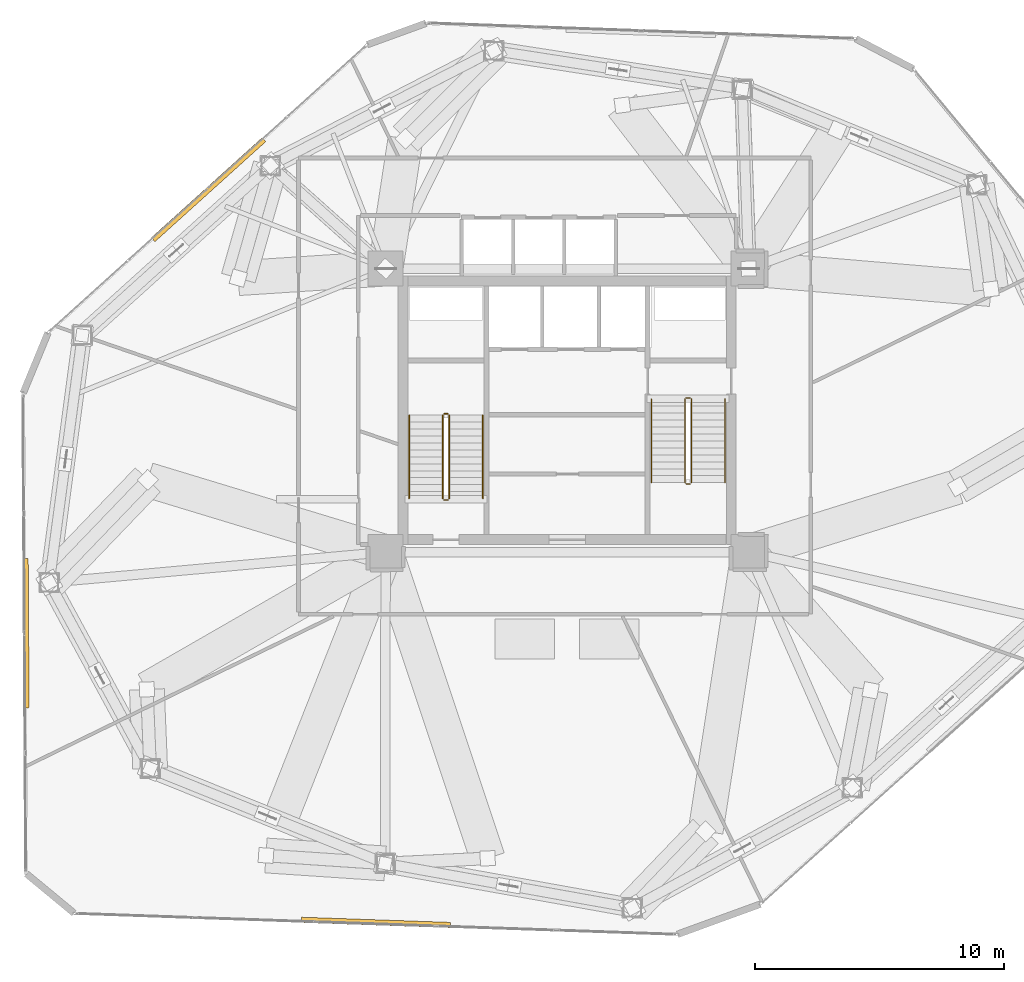
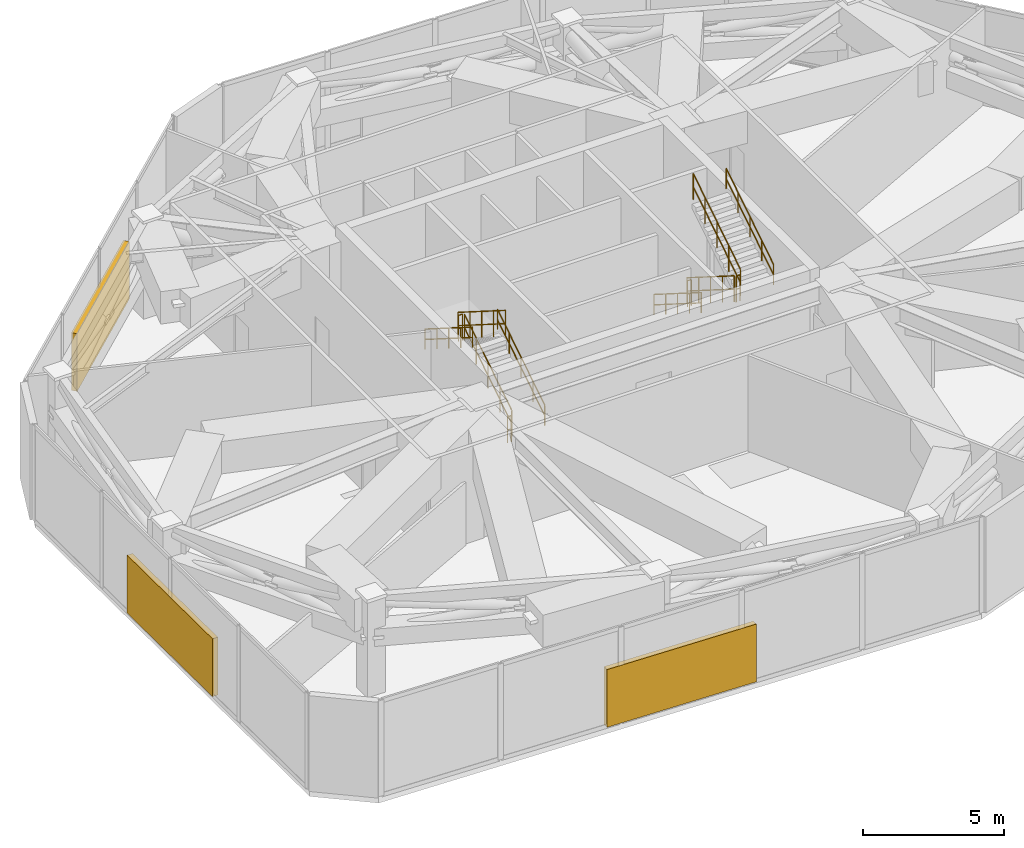
# One storey, part 24 of 25: 12 railings, 3 shading devices.
"""IFC4 building model written with IfcOpenShell, lengths in metres."""

from ifc_helpers import new_model, si_unit, direction, frame, origin, origin_2d, place, context, subcontext, project, spatial, rectangle, circle, extrude, source, transform, mapped, material, type_object, type_shapes, element, save


model = new_model("IFC4")

# Units and contexts
model_context = context("Model", 3, precision=1e-05, world=origin(), true_north=direction((0.0, 1.0)))
body_context = subcontext(model_context, "Body", "Model", "MODEL_VIEW")
ifc_project = project(units=[si_unit("LENGTHUNIT", "METRE"), si_unit("AREAUNIT", "SQUARE_METRE"), si_unit("VOLUMEUNIT", "CUBIC_METRE"), si_unit("PLANEANGLEUNIT", "RADIAN"), si_unit("MASSUNIT", "GRAM", prefix="KILO")], contexts=[model_context])

# Site, building, storey
site_placement = place(None, origin())
site = spatial("IfcSite", under=ifc_project, at=site_placement, CompositionType="ELEMENT")
building_placement = place(site_placement, origin())
building = spatial("IfcBuilding", under=site, at=building_placement, Name="Talar Marvaseh", CompositionType="ELEMENT")
storey_placement = place(building_placement, frame((0.0, 0.0, 84.800048828125)))
storey = spatial("IfcBuildingStorey", under=building, at=storey_placement, Name="L21", CompositionType="ELEMENT", Elevation=84.800048828125)

# Railings
ifc_material_1 = material(Name="Stainless Steel Grade 316", Category="steel")
railing_type_1 = type_object("IfcRailingType", Name="Brushed Stainless Wall Pitch Handrail 900", PredefinedType="HANDRAIL", material=ifc_material_1)
railing_1_placement = place(storey_placement, frame((22.610107421875, 27.64990234375, 0.1767578125)))
element("IfcRailing", 1, at=railing_1_placement, inside=storey, type_object=railing_type_1, Name="L21 ST-1 stair handrail 1", PredefinedType="HANDRAIL", context=body_context, shape_type="SweptSolid", body=[
    extrude(circle(Radius=0.02392578125, at=origin_2d()), frame((0.0, 0.0, 0.8759765625), z_axis=(0.0, 0.845361898145, 0.534194029511), x_axis=(-1.0, 0.0, 0.0)), (0.0, 0.0, 1.0), 3.974853515625),
    extrude(circle(Radius=0.02392578125, at=origin_2d()), frame((0.0, 0.0, 0.42578125), z_axis=(0.0, 0.845361898145, 0.534194029511), x_axis=(-1.0, 0.0, 0.0)), (0.0, 0.0, 1.0), 3.974853515625),
    extrude(circle(Radius=0.02099609375, at=origin_2d()), origin(), (0.0, 0.0, 1.0), 0.851806640625),
    extrude(circle(Radius=0.02099609375, at=origin_2d()), frame((0.0, 0.840087890625, 0.53076171875)), (0.0, 0.0, 1.0), 0.851806640625),
    extrude(circle(Radius=0.02099609375, at=origin_2d()), frame((0.0, 1.68017578125, 1.0615234375)), (0.0, 0.0, 1.0), 0.851806640625),
    extrude(circle(Radius=0.02099609375, at=origin_2d()), frame((0.0, 2.52001953125, 1.592529296875)), (0.0, 0.0, 1.0), 0.851806640625),
    extrude(circle(Radius=0.02099609375, at=origin_2d()), frame((0.0, 3.360107421875, 2.123291015625)), (0.0, 0.0, 1.0), 0.851806640625),
])
railing_2_placement = place(storey_placement, frame((19.64990234375, 31.010009765625, 2.476806640625)))
element("IfcRailing", 2, at=railing_2_placement, inside=storey, type_object=railing_type_1, Name="L21 ST-1 stair handrail 2", PredefinedType="HANDRAIL", context=body_context, shape_type="SweptSolid", body=[
    extrude(circle(Radius=0.02392578125, at=origin_2d()), frame((0.0, 0.0, 0.8759765625), z_axis=(0.0, -0.845389635667, 0.534150132366), x_axis=(1.0, 0.0, 0.0)), (0.0, 0.0, 1.0), 3.974609375),
    extrude(circle(Radius=0.02392578125, at=origin_2d()), frame((0.0, 0.0, 0.42578125), z_axis=(0.0, -0.845389635667, 0.534150132366), x_axis=(1.0, 0.0, 0.0)), (0.0, 0.0, 1.0), 3.974609375),
    extrude(circle(Radius=0.02099609375, at=origin_2d()), origin(), (0.0, 0.0, 1.0), 0.851806640625),
    extrude(circle(Radius=0.02099609375, at=origin_2d()), frame((0.0, -0.840087890625, 0.53076171875)), (0.0, 0.0, 1.0), 0.851806640625),
    extrude(circle(Radius=0.02099609375, at=origin_2d()), frame((0.0, -1.68017578125, 1.0615234375)), (0.0, 0.0, 1.0), 0.851806640625),
    extrude(circle(Radius=0.02099609375, at=origin_2d()), frame((0.0, -2.52001953125, 1.59228515625)), (0.0, 0.0, 1.0), 0.851806640625),
    extrude(circle(Radius=0.02099609375, at=origin_2d()), frame((0.0, -3.360107421875, 2.123046875)), (0.0, 0.0, 1.0), 0.851806640625),
])
railing_3_placement = place(storey_placement, frame((29.389892578125, 31.64990234375, 0.1767578125)))
element("IfcRailing", 3, at=railing_3_placement, inside=storey, type_object=railing_type_1, Name="L21 ST-2 stair handrail 1", PredefinedType="HANDRAIL", context=body_context, shape_type="SweptSolid", body=[
    extrude(circle(Radius=0.02392578125, at=origin_2d()), frame((0.0, 0.0, 0.8759765625), z_axis=(0.0, -0.845344368971, 0.534221768416), x_axis=(1.0, 0.0, 0.0)), (0.0, 0.0, 1.0), 3.974609375),
    extrude(circle(Radius=0.02392578125, at=origin_2d()), frame((0.0, 0.0, 0.42578125), z_axis=(0.0, -0.845344368971, 0.534221768416), x_axis=(1.0, 0.0, 0.0)), (0.0, 0.0, 1.0), 3.974609375),
    extrude(circle(Radius=0.02099609375, at=origin_2d()), origin(), (0.0, 0.0, 1.0), 0.851806640625),
    extrude(circle(Radius=0.02099609375, at=origin_2d()), frame((0.0, -0.83984375, 0.53076171875)), (0.0, 0.0, 1.0), 0.851806640625),
    extrude(circle(Radius=0.02099609375, at=origin_2d()), frame((0.0, -1.679931640625, 1.0615234375)), (0.0, 0.0, 1.0), 0.851806640625),
    extrude(circle(Radius=0.02099609375, at=origin_2d()), frame((0.0, -2.52001953125, 1.592529296875)), (0.0, 0.0, 1.0), 0.851806640625),
    extrude(circle(Radius=0.02099609375, at=origin_2d()), frame((0.0, -3.35986328125, 2.123291015625)), (0.0, 0.0, 1.0), 0.851806640625),
])
railing_4_placement = place(storey_placement, frame((32.35009765625, 28.2900390625, 2.476806640625)))
element("IfcRailing", 4, at=railing_4_placement, inside=storey, type_object=railing_type_1, Name="L21 ST-2 stair handrail 2", PredefinedType="HANDRAIL", context=body_context, shape_type="SweptSolid", body=[
    extrude(circle(Radius=0.02392578125, at=origin_2d()), frame((0.0, 0.0, 0.8759765625), z_axis=(0.0, 0.845372108799, 0.534177870812), x_axis=(-1.0, 0.0, 0.0)), (0.0, 0.0, 1.0), 3.974365234375),
    extrude(circle(Radius=0.02392578125, at=origin_2d()), frame((0.0, 0.0, 0.42578125), z_axis=(0.0, 0.845372108799, 0.534177870812), x_axis=(-1.0, 0.0, 0.0)), (0.0, 0.0, 1.0), 3.974365234375),
    extrude(circle(Radius=0.02099609375, at=origin_2d()), origin(), (0.0, 0.0, 1.0), 0.851806640625),
    extrude(circle(Radius=0.02099609375, at=origin_2d()), frame((0.0, 0.83984375, 0.53076171875)), (0.0, 0.0, 1.0), 0.851806640625),
    extrude(circle(Radius=0.02099609375, at=origin_2d()), frame((0.0, 1.679931640625, 1.0615234375)), (0.0, 0.0, 1.0), 0.851806640625),
    extrude(circle(Radius=0.02099609375, at=origin_2d()), frame((0.0, 2.52001953125, 1.59228515625)), (0.0, 0.0, 1.0), 0.851806640625),
    extrude(circle(Radius=0.02099609375, at=origin_2d()), frame((0.0, 3.35986328125, 2.123046875)), (0.0, 0.0, 1.0), 0.851806640625),
])
railing_type_2 = type_object("IfcRailingType", Name="Painted Steel Core Stair Well Guardrail 1150", PredefinedType="GUARDRAIL", material=ifc_material_1)
railing_5_placement = place(storey_placement, frame((21.260009765625, 27.64990234375, 0.1767578125)))
element("IfcRailing", 5, at=railing_5_placement, inside=storey, type_object=railing_type_2, Name="L21 ST-1 stair guard 1", PredefinedType="GUARDRAIL", context=body_context, shape_type="SweptSolid", body=[
    extrude(circle(Radius=0.02392578125, at=origin_2d()), frame((0.0, 0.0, 1.1259765625), z_axis=(0.0, 0.845361898145, 0.534194029511), x_axis=(-1.0, 0.0, 0.0)), (0.0, 0.0, 1.0), 3.974853515625),
    extrude(circle(Radius=0.02392578125, at=origin_2d()), frame((0.0, 0.0, 0.55078125), z_axis=(0.0, 0.845361898145, 0.534194029511), x_axis=(-1.0, 0.0, 0.0)), (0.0, 0.0, 1.0), 3.974853515625),
    extrude(circle(Radius=0.02099609375, at=origin_2d()), origin(), (0.0, 0.0, 1.0), 1.101806640625),
    extrude(circle(Radius=0.02099609375, at=origin_2d()), frame((0.0, 0.840087890625, 0.53076171875)), (0.0, 0.0, 1.0), 1.101806640625),
    extrude(circle(Radius=0.02099609375, at=origin_2d()), frame((0.0, 1.68017578125, 1.0615234375)), (0.0, 0.0, 1.0), 1.101806640625),
    extrude(circle(Radius=0.02099609375, at=origin_2d()), frame((0.0, 2.52001953125, 1.592529296875)), (0.0, 0.0, 1.0), 1.101806640625),
    extrude(circle(Radius=0.02099609375, at=origin_2d()), frame((0.0, 3.360107421875, 2.123291015625)), (0.0, 0.0, 1.0), 1.101806640625),
])
railing_6_placement = place(storey_placement, frame((21.2099609375, 31.06005859375, 2.300048828125)))
element("IfcRailing", 6, at=railing_6_placement, inside=storey, type_object=railing_type_2, Name="L21 ST-1 stair guard 2", PredefinedType="GUARDRAIL", context=body_context, shape_type="SweptSolid", body=[
    extrude(circle(Radius=0.02392578125, at=origin_2d()), frame((0.0, 0.0, 1.1259765625), z_axis=(-1.0, 0.0, 0.0), x_axis=(0.0, -1.0, 0.0)), (0.0, 0.0, 1.0), 0.159912109375),
    extrude(circle(Radius=0.02392578125, at=origin_2d()), frame((0.0, 0.0, 0.55078125), z_axis=(-1.0, 0.0, 0.0), x_axis=(0.0, -1.0, 0.0)), (0.0, 0.0, 1.0), 0.159912109375),
    extrude(circle(Radius=0.02099609375, at=origin_2d()), origin(), (0.0, 0.0, 1.0), 1.101806640625),
    extrude(circle(Radius=0.02099609375, at=origin_2d()), frame((-0.159912109375, 0.0, 0.0)), (0.0, 0.0, 1.0), 1.101806640625),
])
railing_7_placement = place(storey_placement, frame((21.0, 31.010009765625, 2.476806640625)))
element("IfcRailing", 7, at=railing_7_placement, inside=storey, type_object=railing_type_2, Name="L21 ST-1 stair guard 3", PredefinedType="GUARDRAIL", context=body_context, shape_type="SweptSolid", body=[
    extrude(circle(Radius=0.02392578125, at=origin_2d()), frame((0.0, 0.0, 1.1259765625), z_axis=(0.0, -0.845389635667, 0.534150132366), x_axis=(1.0, 0.0, 0.0)), (0.0, 0.0, 1.0), 3.974609375),
    extrude(circle(Radius=0.02392578125, at=origin_2d()), frame((0.0, 0.0, 0.55078125), z_axis=(0.0, -0.845389635667, 0.534150132366), x_axis=(1.0, 0.0, 0.0)), (0.0, 0.0, 1.0), 3.974609375),
    extrude(circle(Radius=0.02099609375, at=origin_2d()), origin(), (0.0, 0.0, 1.0), 1.101806640625),
    extrude(circle(Radius=0.02099609375, at=origin_2d()), frame((0.0, -0.840087890625, 0.53076171875)), (0.0, 0.0, 1.0), 1.101806640625),
    extrude(circle(Radius=0.02099609375, at=origin_2d()), frame((0.0, -1.68017578125, 1.0615234375)), (0.0, 0.0, 1.0), 1.101806640625),
    extrude(circle(Radius=0.02099609375, at=origin_2d()), frame((0.0, -2.52001953125, 1.59228515625)), (0.0, 0.0, 1.0), 1.101806640625),
    extrude(circle(Radius=0.02099609375, at=origin_2d()), frame((0.0, -3.360107421875, 2.123046875)), (0.0, 0.0, 1.0), 1.101806640625),
])
railing_8_placement = place(storey_placement, frame((21.2099609375, 27.60009765625, 0.0)))
element("IfcRailing", 8, at=railing_8_placement, inside=storey, type_object=railing_type_2, Name="L21 ST-1 stair guard 4", PredefinedType="GUARDRAIL", context=body_context, shape_type="SweptSolid", body=[
    extrude(circle(Radius=0.02392578125, at=origin_2d()), frame((0.0, 0.0, 1.1259765625), z_axis=(-1.0, 0.0, 0.0), x_axis=(0.0, -1.0, 0.0)), (0.0, 0.0, 1.0), 0.159912109375),
    extrude(circle(Radius=0.02392578125, at=origin_2d()), frame((0.0, 0.0, 0.55078125), z_axis=(-1.0, 0.0, 0.0), x_axis=(0.0, -1.0, 0.0)), (0.0, 0.0, 1.0), 0.159912109375),
    extrude(circle(Radius=0.02099609375, at=origin_2d()), origin(), (0.0, 0.0, 1.0), 1.101806640625),
    extrude(circle(Radius=0.02099609375, at=origin_2d()), frame((-0.159912109375, 0.0, 0.0)), (0.0, 0.0, 1.0), 1.101806640625),
])
railing_9_placement = place(storey_placement, frame((30.739990234375, 31.64990234375, 0.1767578125)))
element("IfcRailing", 9, at=railing_9_placement, inside=storey, type_object=railing_type_2, Name="L21 ST-2 stair guard 1", PredefinedType="GUARDRAIL", context=body_context, shape_type="SweptSolid", body=[
    extrude(circle(Radius=0.02392578125, at=origin_2d()), frame((0.0, 0.0, 1.1259765625), z_axis=(0.0, -0.845344368971, 0.534221768416), x_axis=(1.0, 0.0, 0.0)), (0.0, 0.0, 1.0), 3.974609375),
    extrude(circle(Radius=0.02392578125, at=origin_2d()), frame((0.0, 0.0, 0.55078125), z_axis=(0.0, -0.845344368971, 0.534221768416), x_axis=(1.0, 0.0, 0.0)), (0.0, 0.0, 1.0), 3.974609375),
    extrude(circle(Radius=0.02099609375, at=origin_2d()), origin(), (0.0, 0.0, 1.0), 1.101806640625),
    extrude(circle(Radius=0.02099609375, at=origin_2d()), frame((0.0, -0.83984375, 0.53076171875)), (0.0, 0.0, 1.0), 1.101806640625),
    extrude(circle(Radius=0.02099609375, at=origin_2d()), frame((0.0, -1.679931640625, 1.0615234375)), (0.0, 0.0, 1.0), 1.101806640625),
    extrude(circle(Radius=0.02099609375, at=origin_2d()), frame((0.0, -2.52001953125, 1.592529296875)), (0.0, 0.0, 1.0), 1.101806640625),
    extrude(circle(Radius=0.02099609375, at=origin_2d()), frame((0.0, -3.35986328125, 2.123291015625)), (0.0, 0.0, 1.0), 1.101806640625),
])
railing_10_placement = place(storey_placement, frame((30.7900390625, 28.239990234375, 2.300048828125)))
element("IfcRailing", 10, at=railing_10_placement, inside=storey, type_object=railing_type_2, Name="L21 ST-2 stair guard 2", PredefinedType="GUARDRAIL", context=body_context, shape_type="SweptSolid", body=[
    extrude(circle(Radius=0.02392578125, at=origin_2d()), frame((0.0, 0.0, 1.1259765625), z_axis=(1.0, 0.0, 0.0), x_axis=(0.0, 1.0, 0.0)), (0.0, 0.0, 1.0), 0.159912109375),
    extrude(circle(Radius=0.02392578125, at=origin_2d()), frame((0.0, 0.0, 0.55078125), z_axis=(1.0, 0.0, 0.0), x_axis=(0.0, 1.0, 0.0)), (0.0, 0.0, 1.0), 0.159912109375),
    extrude(circle(Radius=0.02099609375, at=origin_2d()), origin(), (0.0, 0.0, 1.0), 1.101806640625),
    extrude(circle(Radius=0.02099609375, at=origin_2d()), frame((0.159912109375, 0.0, 0.0)), (0.0, 0.0, 1.0), 1.101806640625),
])
railing_11_placement = place(storey_placement, frame((31.0, 28.2900390625, 2.476806640625)))
element("IfcRailing", 11, at=railing_11_placement, inside=storey, type_object=railing_type_2, Name="L21 ST-2 stair guard 3", PredefinedType="GUARDRAIL", context=body_context, shape_type="SweptSolid", body=[
    extrude(circle(Radius=0.02392578125, at=origin_2d()), frame((0.0, 0.0, 1.1259765625), z_axis=(0.0, 0.845372108799, 0.534177870812), x_axis=(-1.0, 0.0, 0.0)), (0.0, 0.0, 1.0), 3.974365234375),
    extrude(circle(Radius=0.02392578125, at=origin_2d()), frame((0.0, 0.0, 0.55078125), z_axis=(0.0, 0.845372108799, 0.534177870812), x_axis=(-1.0, 0.0, 0.0)), (0.0, 0.0, 1.0), 3.974365234375),
    extrude(circle(Radius=0.02099609375, at=origin_2d()), origin(), (0.0, 0.0, 1.0), 1.101806640625),
    extrude(circle(Radius=0.02099609375, at=origin_2d()), frame((0.0, 0.83984375, 0.53076171875)), (0.0, 0.0, 1.0), 1.101806640625),
    extrude(circle(Radius=0.02099609375, at=origin_2d()), frame((0.0, 1.679931640625, 1.0615234375)), (0.0, 0.0, 1.0), 1.101806640625),
    extrude(circle(Radius=0.02099609375, at=origin_2d()), frame((0.0, 2.52001953125, 1.59228515625)), (0.0, 0.0, 1.0), 1.101806640625),
    extrude(circle(Radius=0.02099609375, at=origin_2d()), frame((0.0, 3.35986328125, 2.123046875)), (0.0, 0.0, 1.0), 1.101806640625),
])
railing_12_placement = place(storey_placement, frame((30.7900390625, 31.699951171875, 0.0)))
element("IfcRailing", 12, at=railing_12_placement, inside=storey, type_object=railing_type_2, Name="L21 ST-2 stair guard 4", PredefinedType="GUARDRAIL", context=body_context, shape_type="SweptSolid", body=[
    extrude(circle(Radius=0.02392578125, at=origin_2d()), frame((0.0, 0.0, 1.1259765625), z_axis=(1.0, 0.0, 0.0), x_axis=(0.0, 1.0, 0.0)), (0.0, 0.0, 1.0), 0.159912109375),
    extrude(circle(Radius=0.02392578125, at=origin_2d()), frame((0.0, 0.0, 0.55078125), z_axis=(1.0, 0.0, 0.0), x_axis=(0.0, 1.0, 0.0)), (0.0, 0.0, 1.0), 0.159912109375),
    extrude(circle(Radius=0.02099609375, at=origin_2d()), origin(), (0.0, 0.0, 1.0), 1.101806640625),
    extrude(circle(Radius=0.02099609375, at=origin_2d()), frame((0.159912109375, 0.0, 0.0)), (0.0, 0.0, 1.0), 1.101806640625),
])

# Shading devices
ifc_material_2 = material(Name="Anodised Champagne Bronze Aluminium", Category="aluminium")
shading_device_type = type_object("IfcShadingDeviceType", Name="Acoustic Weatherproof Plant Louvre Bank", PredefinedType="USERDEFINED", material=ifc_material_2)
shared_shape = source(origin(), body_context, "Body", "SweptSolid", [
    extrude(rectangle(XDim=6.0, YDim=0.219970703125, at=origin_2d()), origin(), (0.0, 0.0, 1.0), 2.5),
])
type_shapes(shading_device_type, [shared_shape])
for number, where, z_axis, x_axis, name in (
    (13, (4.23681640625, 22.2392578125, 0.0), (0.0, 0.0, 1.0), (-0.006108614391, 0.999981342241, 0.0), "L21 Acoustic Plant Louvre Screen"),
    (14, (11.5791015625, 40.076171875, 0.0), (0.0, 0.0, 1.0), (0.742326773808, 0.670038029434, 0.0), "L21 Acoustic Plant Louvre Screen"),
    (15, (18.31591796875, 10.602783203125, 0.0), (0.0, 0.0, 1.0), (-0.999396902909, 0.034725069567, 0.0), "L21 Acoustic Plant Louvre Screen"),
):
    element("IfcShadingDevice", number, at=place(storey_placement, frame(where, z_axis=z_axis, x_axis=x_axis)), inside=storey, type_object=shading_device_type, Name=name, ObjectType="LOUVRE", PredefinedType="USERDEFINED", context=body_context, shape_type="MappedRepresentation", body=[
        mapped(shared_shape, transform((0.0, 0.0, 0.0), x_axis=(1.0, 0.0, 0.0), y_axis=(0.0, 1.0, 0.0), z_axis=(0.0, 0.0, 1.0), scale=1.0)),
    ])

save(model, "model.ifc")
